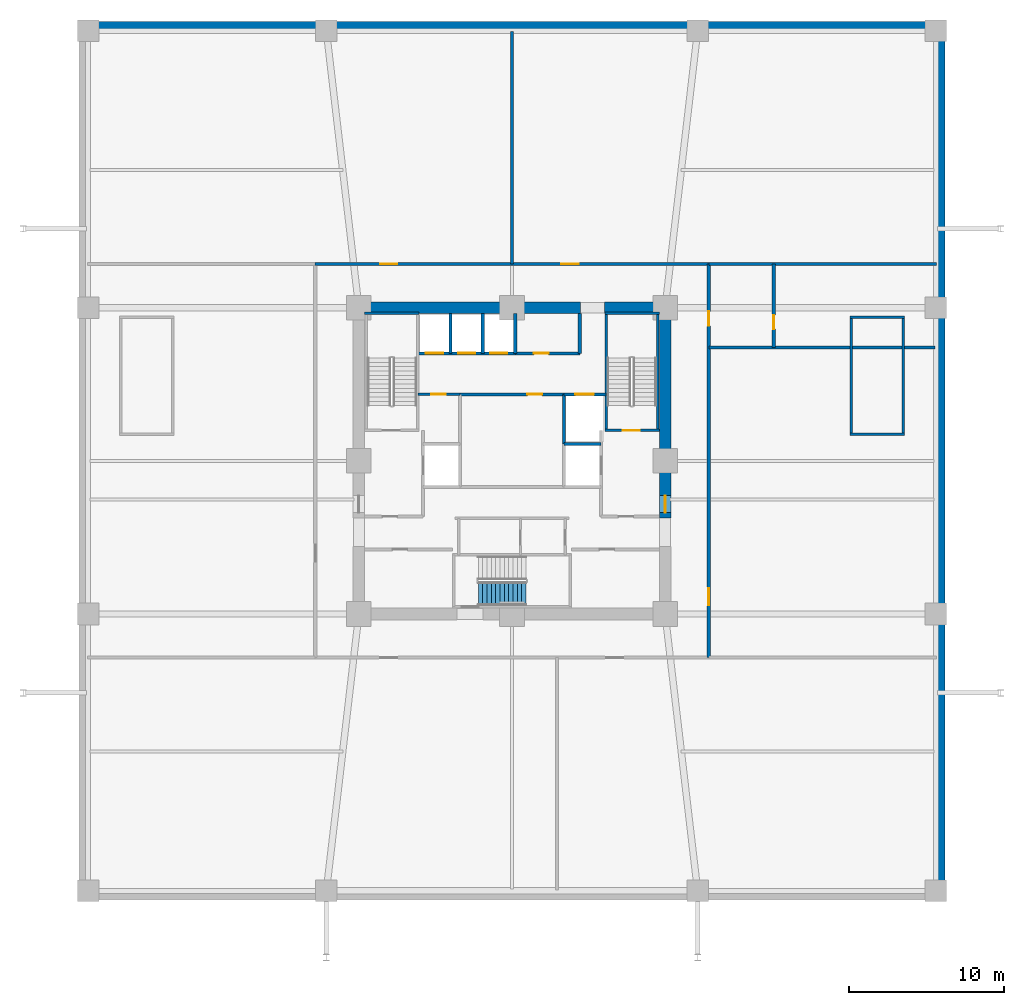
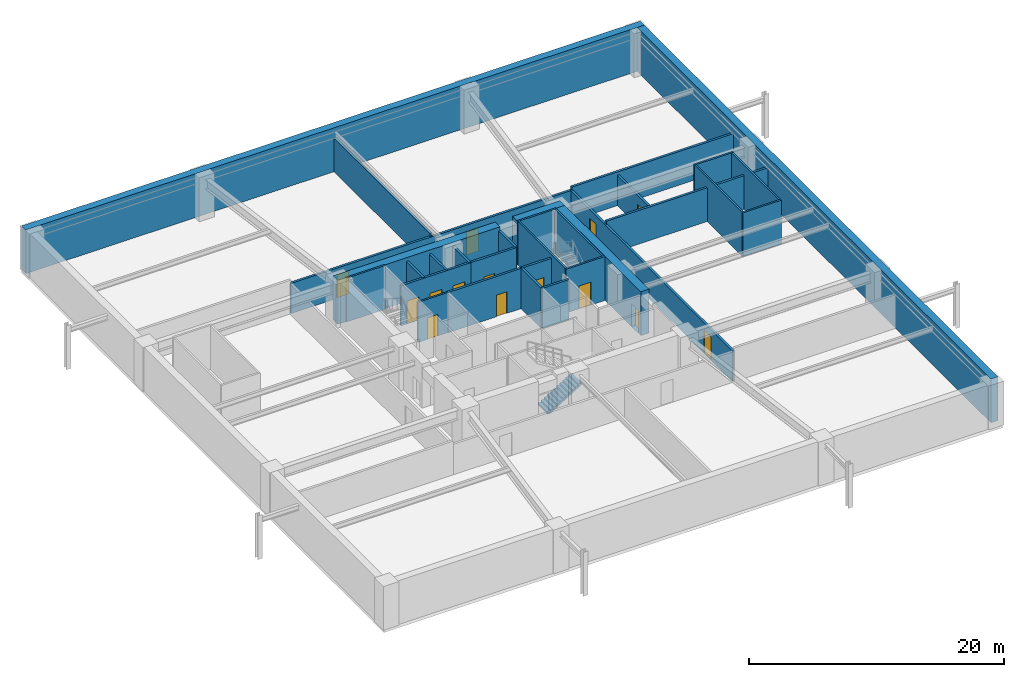
# One storey, part 3 of 5: 31 walls, 14 doors, 1 stair flight, 14 openings, 1 element without a shape of its own.
"""IFC4 building model written with IfcOpenShell, lengths in metres."""

from ifc_helpers import new_model, si_unit, direction, frame, frame_2d, origin, place, context, subcontext, project, spatial, polyline, rectangle, outline, extrude, material, layer, layer_set, type_object, element, fill, aggregate, save


model = new_model("IFC4")

# Units and contexts
model_context = context("Model", 3, precision=1e-05, world=origin(), true_north=direction((0.0, 1.0)))
body_context = subcontext(model_context, "Body", "Model", "MODEL_VIEW")
ifc_project = project(units=[si_unit("LENGTHUNIT", "METRE"), si_unit("AREAUNIT", "SQUARE_METRE"), si_unit("VOLUMEUNIT", "CUBIC_METRE"), si_unit("PLANEANGLEUNIT", "RADIAN"), si_unit("MASSUNIT", "GRAM", prefix="KILO")], contexts=[model_context])

# Site, building, storey
site_placement = place(None, origin())
site = spatial("IfcSite", under=ifc_project, at=site_placement, CompositionType="ELEMENT")
building_placement = place(site_placement, origin())
building = spatial("IfcBuilding", under=site, at=building_placement, Name="Kolvaren Belvedere", CompositionType="ELEMENT")
storey_placement = place(building_placement, frame((0.0, 0.0, -4.199951171875)))
storey = spatial("IfcBuildingStorey", under=building, at=storey_placement, Name="B01", CompositionType="ELEMENT", Elevation=-4.199951171875)

# Walls
ifc_material_1 = material(Name="Concrete C60/75", Category="concrete")
ifc_layer_1 = layer(ifc_material_1, 0.75)
ifc_layer_set_1 = layer_set([ifc_layer_1], Name="Concrete C60/75")
wall_type_1 = type_object("IfcWallType", Name="CW-CORE-750", PredefinedType="SHEAR", material=ifc_layer_set_1)
wall_1_placement = place(storey_placement, frame((-10.27490234375, 9.89990234375, 0.0), z_axis=(0.0, 0.0, 1.0), x_axis=(1.0, 0.0, 0.0)))
element("IfcWall", 1, at=wall_1_placement, inside=storey, type_object=wall_type_1, Name="B01 North Core Shear Wall 1", PredefinedType="SHEAR", context=body_context, shape_type="SweptSolid", body=[
    extrude(rectangle(XDim=14.69482421875, YDim=0.75, at=frame_2d((7.347412109375, 0.0))), origin(), (0.0, 0.0, 1.0), 4.199951171875),
])
wall_2_placement = place(storey_placement, frame((5.97998046875, 9.89990234375, 0.0), z_axis=(0.0, 0.0, 1.0), x_axis=(1.0, 0.0, 0.0)))
element("IfcWall", 2, at=wall_2_placement, inside=storey, type_object=wall_type_1, Name="B01 North Core Shear Wall 2", PredefinedType="SHEAR", context=body_context, shape_type="SweptSolid", body=[
    extrude(rectangle(XDim=4.294921875, YDim=0.75, at=frame_2d((2.1474609375, 0.0))), origin(), (0.0, 0.0, 1.0), 4.199951171875),
])

# Wall, opening, door
wall_3_placement = place(storey_placement, frame((9.89990234375, -3.699951171875, 0.0), z_axis=(0.0, 0.0, 1.0), x_axis=(0.0, 1.0, 0.0)))
wall_3 = element("IfcWall", 3, at=wall_3_placement, inside=storey, type_object=wall_type_1, Name="B01 East Core Shear Wall 2", PredefinedType="SHEAR", context=body_context, shape_type="SweptSolid", body=[
    extrude(rectangle(XDim=13.224853515625, YDim=0.75, at=frame_2d((6.6123046875, 0.0))), origin(), (0.0, 0.0, 1.0), 4.199951171875),
])
opening_1_placement = place(wall_3_placement, frame((0.35009765625, 0.0, 0.0)))
opening_1 = element("IfcOpeningElement", 4, at=opening_1_placement, cuts=wall_3, Name="Opening D-FD90", PredefinedType="OPENING", context=body_context, shape_type="SweptSolid", body=[
    extrude(rectangle(XDim=1.10009765625, YDim=2.199951171875, at=frame_2d((0.550048828125, 1.10009765625))), frame((0.0, 0.385009765625, 0.0), z_axis=(0.0, -1.0, 0.0), x_axis=(1.0, 0.0, 0.0)), (0.0, 0.0, 1.0), 0.77001953125),
])
ifc_material_2 = material(Name="Painted hollow stainless steel", Category="steel")
door_type_1 = type_object("IfcDoorType", Name="DR-FD90-1100", OperationType="NOTDEFINED", PredefinedType="DOOR", material=ifc_material_2)
door_1_placement = place(opening_1_placement, origin())
door_1 = element("IfcDoor", 5, at=door_1_placement, inside=storey, type_object=door_type_1, Name="B01 East Firefighting Lobby Fire Door", OperationType="SINGLE_SWING_RIGHT", OverallHeight=2.199951171875, OverallWidth=1.10009765625, PredefinedType="DOOR", context=body_context, shape_type="SweptSolid", body=[
    extrude(rectangle(XDim=1.10009765625, YDim=2.199951171875, at=frame_2d((0.550048828125, 1.10009765625))), frame((0.0, 0.02490234375, 0.0), z_axis=(0.0, -1.0, 0.0), x_axis=(1.0, 0.0, 0.0)), (0.0, 0.0, 1.0), 0.050048828125),
])
fill(opening_1, door_1)

# Walls
ifc_material_3 = material(Name="Concrete C50/60", Category="concrete")
ifc_layer_2 = layer(ifc_material_3, 0.159912109375)
ifc_layer_set_2 = layer_set([ifc_layer_2], Name="Concrete C50/60")
wall_type_2 = type_object("IfcWallType", Name="CW-STAIR-160", PredefinedType="SHEAR", material=ifc_layer_set_2)
for number, where, z_axis, x_axis, name in (
    (6, (21.85009765625, 1.719970703125, 0.0), (0.0, 0.0, 1.0), (1.0, 0.0, 0.0), "B01 Podium Stair ST-P2 Support Wall S"),
    (7, (21.85009765625, 9.280029296875, 0.0), (0.0, 0.0, 1.0), (1.0, 0.0, 0.0), "B01 Podium Stair ST-P2 Support Wall N"),
):
    element("IfcWall", number, at=place(storey_placement, frame(where, z_axis=z_axis, x_axis=x_axis)), inside=storey, type_object=wall_type_2, Name=name, PredefinedType="SHEAR", context=body_context, shape_type="SweptSolid", body=[
        extrude(rectangle(XDim=3.510009765625, YDim=0.159912109375, at=frame_2d((1.7548828125, 0.0))), origin(), (0.0, 0.0, 1.0), 4.199951171875),
    ])
for number, where, z_axis, x_axis, name in (
    (8, (21.929931640625, 1.800048828125, 0.0), (0.0, 0.0, 1.0), (0.0, 1.0, 0.0), "B01 Podium Stair ST-P2 Support Wall W"),
    (9, (25.280029296875, 1.800048828125, 0.0), (0.0, 0.0, 1.0), (0.0, 1.0, 0.0), "B01 Podium Stair ST-P2 Support Wall E"),
):
    element("IfcWall", number, at=place(storey_placement, frame(where, z_axis=z_axis, x_axis=x_axis)), inside=storey, type_object=wall_type_2, Name=name, PredefinedType="SHEAR", context=body_context, shape_type="SweptSolid", body=[
        extrude(rectangle(XDim=7.39990234375, YDim=0.159912109375, at=frame_2d((3.699951171875, 0.0))), origin(), (0.0, 0.0, 1.0), 4.199951171875),
    ])
wall_4_placement = place(storey_placement, frame((-9.52001953125, 9.530029296875, 0.0), z_axis=(0.0, 0.0, 1.0), x_axis=(1.0, 0.0, 0.0)))
element("IfcWall", 10, at=wall_4_placement, inside=storey, type_object=wall_type_2, Name="B01 Stair ST-1 North Shear Wall", PredefinedType="SHEAR", context=body_context, shape_type="SweptSolid", body=[
    extrude(rectangle(XDim=3.52001953125, YDim=0.159912109375, at=frame_2d((1.760009765625, 0.0))), origin(), (0.0, 0.0, 1.0), 4.199951171875),
])

# Wall, opening, door
wall_5_placement = place(storey_placement, frame((6.0, 1.969970703125, 0.0), z_axis=(0.0, 0.0, 1.0), x_axis=(1.0, 0.0, 0.0)))
wall_5 = element("IfcWall", 11, at=wall_5_placement, inside=storey, type_object=wall_type_2, Name="B01 Stair ST-2 South Shear Wall", PredefinedType="SHEAR", context=body_context, shape_type="SweptSolid", body=[
    extrude(rectangle(XDim=3.52001953125, YDim=0.159912109375, at=frame_2d((1.760009765625, 0.0))), origin(), (0.0, 0.0, 1.0), 4.199951171875),
])
opening_2_placement = place(wall_5_placement, frame((1.14990234375, 0.0, 0.0)))
opening_2 = element("IfcOpeningElement", 12, at=opening_2_placement, cuts=wall_5, Name="Opening D-FD90", PredefinedType="OPENING", context=body_context, shape_type="SweptSolid", body=[
    extrude(rectangle(XDim=1.10009765625, YDim=2.199951171875, at=frame_2d((0.550048828125, 1.10009765625))), frame((0.0, 0.08984375, 0.0), z_axis=(0.0, -1.0, 0.0), x_axis=(1.0, 0.0, 0.0)), (0.0, 0.0, 1.0), 0.179931640625),
])
door_2_placement = place(opening_2_placement, origin())
door_2 = element("IfcDoor", 13, at=door_2_placement, inside=storey, type_object=door_type_1, Name="B01 Stair ST-2 Fire Door", OperationType="SINGLE_SWING_RIGHT", OverallHeight=2.199951171875, OverallWidth=1.10009765625, PredefinedType="DOOR", context=body_context, shape_type="SweptSolid", body=[
    extrude(rectangle(XDim=1.10009765625, YDim=2.199951171875, at=frame_2d((0.550048828125, 1.10009765625))), frame((0.0, 0.02490234375, 0.0), z_axis=(0.0, -1.0, 0.0), x_axis=(1.0, 0.0, 0.0)), (0.0, 0.0, 1.0), 0.050048828125),
])
fill(opening_2, door_2)

# Walls
wall_6_placement = place(storey_placement, frame((6.0, 9.530029296875, 0.0), z_axis=(0.0, 0.0, 1.0), x_axis=(1.0, 0.0, 0.0)))
element("IfcWall", 14, at=wall_6_placement, inside=storey, type_object=wall_type_2, Name="B01 Stair ST-2 North Shear Wall", PredefinedType="SHEAR", context=body_context, shape_type="SweptSolid", body=[
    extrude(rectangle(XDim=3.52001953125, YDim=0.159912109375, at=frame_2d((1.760009765625, 0.0))), origin(), (0.0, 0.0, 1.0), 4.199951171875),
])
for number, where, z_axis, x_axis, name in (
    (15, (6.080078125, 1.969970703125, 0.0), (0.0, 0.0, 1.0), (0.0, 1.0, 0.0), "B01 Stair ST-2 West Shear Wall"),
    (16, (9.429931640625, 1.969970703125, 0.0), (0.0, 0.0, 1.0), (0.0, 1.0, 0.0), "B01 Stair ST-2 East Shear Wall"),
):
    element("IfcWall", number, at=place(storey_placement, frame(where, z_axis=z_axis, x_axis=x_axis)), inside=storey, type_object=wall_type_2, Name=name, PredefinedType="SHEAR", context=body_context, shape_type="SweptSolid", body=[
        extrude(rectangle(XDim=7.56005859375, YDim=0.159912109375, at=frame_2d((3.780029296875, 0.0))), origin(), (0.0, 0.0, 1.0), 4.199951171875),
    ])
ifc_material_4 = material(Name="Concrete C50/60", Category="concrete")
ifc_layer_3 = layer(ifc_material_4, 0.64990234375)
ifc_layer_set_3 = layer_set([ifc_layer_3], Name="Concrete C50/60")
wall_type_3 = type_object("IfcWallType", Name="RW-BASE-650", PredefinedType="SHEAR", material=ifc_layer_set_3)
wall_7_placement = place(storey_placement, frame((-28.0, 28.074951171875, 0.0), z_axis=(0.0, 0.0, 1.0), x_axis=(1.0, 0.0, 0.0)))
element("IfcWall", 17, at=wall_7_placement, inside=storey, type_object=wall_type_3, Name="B01 North Perimeter Retaining Wall", PredefinedType="SHEAR", context=body_context, shape_type="SweptSolid", body=[
    extrude(rectangle(XDim=56.0, YDim=0.64990234375, at=frame_2d((28.0, 0.0))), origin(), (0.0, 0.0, 1.0), 4.199951171875),
])
wall_8_placement = place(storey_placement, frame((27.675048828125, -27.75, 0.0), z_axis=(0.0, 0.0, 1.0), x_axis=(0.0, 1.0, 0.0)))
element("IfcWall", 18, at=wall_8_placement, inside=storey, type_object=wall_type_3, Name="B01 East Perimeter Retaining Wall", PredefinedType="SHEAR", context=body_context, shape_type="SweptSolid", body=[
    extrude(rectangle(XDim=55.5, YDim=0.64990234375, at=frame_2d((27.75, 0.0))), origin(), (0.0, 0.0, 1.0), 4.199951171875),
])

# Wall, opening, door
ifc_material_5 = material(Name="Gypsum acoustic partition assembly", Category="gypsum")
ifc_layer_4 = layer(ifc_material_5, 0.14990234375)
ifc_layer_set_4 = layer_set([ifc_layer_4], Name="Gypsum acoustic partition assembly")
wall_type_4 = type_object("IfcWallType", Name="WL-PART-150", PredefinedType="PARTITIONING", material=ifc_layer_set_4)
wall_9_placement = place(storey_placement, frame((-6.080078125, 4.300048828125, 0.0), z_axis=(0.0, 0.0, 1.0), x_axis=(1.0, 0.0, 0.0)))
wall_9 = element("IfcWall", 19, at=wall_9_placement, inside=storey, type_object=wall_type_4, Name="B01 NW Service Room North Wall", PredefinedType="PARTITIONING", context=body_context, shape_type="SweptSolid", body=[
    extrude(rectangle(XDim=2.72998046875, YDim=0.14990234375, at=frame_2d((1.364990234375, 0.0))), origin(), (0.0, 0.0, 1.0), 3.849853515625),
])
opening_3_placement = place(wall_9_placement, frame((0.85009765625, 0.0, 0.0)))
opening_3 = element("IfcOpeningElement", 20, at=opening_3_placement, cuts=wall_9, Name="Opening D-FD60", PredefinedType="OPENING", context=body_context, shape_type="SweptSolid", body=[
    extrude(rectangle(XDim=0.949951171875, YDim=2.06005859375, at=frame_2d((0.47509765625, 1.030029296875))), frame((0.0, 0.0849609375, 0.0), z_axis=(0.0, -1.0, 0.0), x_axis=(1.0, 0.0, 0.0)), (0.0, 0.0, 1.0), 0.169921875),
])
ifc_material_6 = material(Name="Acoustic white-oak fire door leaf", Category="timber")
door_type_2 = type_object("IfcDoorType", Name="DR-FD60-950", OperationType="NOTDEFINED", PredefinedType="DOOR", material=ifc_material_6)
door_3_placement = place(opening_3_placement, origin())
door_3 = element("IfcDoor", 21, at=door_3_placement, inside=storey, type_object=door_type_2, Name="B01 NW Core Store Door", OperationType="SINGLE_SWING_RIGHT", OverallHeight=2.06005859375, OverallWidth=0.949951171875, PredefinedType="DOOR", context=body_context, shape_type="SweptSolid", body=[
    extrude(rectangle(XDim=0.949951171875, YDim=2.06005859375, at=frame_2d((0.47509765625, 1.030029296875))), frame((0.0, 0.02490234375, 0.0), z_axis=(0.0, -1.0, 0.0), x_axis=(1.0, 0.0, 0.0)), (0.0, 0.0, 1.0), 0.050048828125),
])
fill(opening_3, door_3)

# Wall
ifc_material_7 = material(Name="Concrete C50/60", Category="concrete")
ifc_layer_5 = layer(ifc_material_7, 0.199951171875)
ifc_layer_set_5 = layer_set([ifc_layer_5], Name="Concrete C50/60")
wall_type_5 = type_object("IfcWallType", Name="WL-SHAFT-200", PredefinedType="SOLIDWALL", material=ifc_layer_set_5)
wall_10_placement = place(storey_placement, frame((3.35009765625, 1.10009765625, 0.0), z_axis=(0.0, 0.0, 1.0), x_axis=(1.0, 0.0, 0.0)))
element("IfcWall", 22, at=wall_10_placement, inside=storey, type_object=wall_type_5, Name="B01 FSAE FS2 North Wall", PredefinedType="SOLIDWALL", context=body_context, shape_type="SweptSolid", body=[
    extrude(rectangle(XDim=2.39990234375, YDim=0.199951171875, at=frame_2d((1.199951171875, 0.0))), origin(), (0.0, 0.0, 1.0), 3.849853515625),
])

# Wall, opening, door
wall_11_placement = place(storey_placement, frame((3.35009765625, 4.300048828125, 0.0), z_axis=(0.0, 0.0, 1.0), x_axis=(1.0, 0.0, 0.0)))
wall_11 = element("IfcWall", 23, at=wall_11_placement, inside=storey, type_object=wall_type_5, Name="B01 Service Lift SV1 Front Wall", PredefinedType="SOLIDWALL", context=body_context, shape_type="SweptSolid", body=[
    extrude(rectangle(XDim=2.72998046875, YDim=0.199951171875, at=frame_2d((1.364990234375, 0.0))), origin(), (0.0, 0.0, 1.0), 3.849853515625),
])
opening_4_placement = place(wall_11_placement, frame((0.75, 0.0, 0.0)))
opening_4 = element("IfcOpeningElement", 24, at=opening_4_placement, cuts=wall_11, Name="Opening LD-12", PredefinedType="OPENING", context=body_context, shape_type="SweptSolid", body=[
    extrude(rectangle(XDim=1.199951171875, YDim=2.25, at=frame_2d((0.60009765625, 1.125))), frame((0.0, 0.10986328125, 0.0), z_axis=(0.0, -1.0, 0.0), x_axis=(1.0, 0.0, 0.0)), (0.0, 0.0, 1.0), 0.219970703125),
])
ifc_material_8 = material(Name="Brushed stainless steel", Category="steel")
door_type_3 = type_object("IfcDoorType", Name="DR-LIFT-1200", OperationType="DOUBLE_DOOR_SLIDING", PredefinedType="DOOR", material=ifc_material_8)
door_4_placement = place(opening_4_placement, origin())
door_4 = element("IfcDoor", 25, at=door_4_placement, inside=storey, type_object=door_type_3, Name="B01 Service Lift SV1 Landing Door", OperationType="DOUBLE_DOOR_SLIDING", OverallHeight=2.25, OverallWidth=1.199951171875, PredefinedType="DOOR", context=body_context, shape_type="SweptSolid", body=[
    extrude(rectangle(XDim=1.199951171875, YDim=2.25, at=frame_2d((0.60009765625, 1.125))), frame((0.0, 0.02490234375, 0.0), z_axis=(0.0, -1.0, 0.0), x_axis=(1.0, 0.0, 0.0)), (0.0, 0.0, 1.0), 0.050048828125),
])
fill(opening_4, door_4)

# Wall, openings, doors
wall_12_placement = place(storey_placement, frame((-6.080078125, 6.949951171875, 0.0), z_axis=(0.0, 0.0, 1.0), x_axis=(1.0, 0.0, 0.0)))
wall_12 = element("IfcWall", 26, at=wall_12_placement, inside=storey, type_object=wall_type_5, Name="B01 Low-Rise Lift Bank Front Wall", PredefinedType="SOLIDWALL", context=body_context, shape_type="SweptSolid", body=[
    extrude(rectangle(XDim=6.300048828125, YDim=0.199951171875, at=frame_2d((3.14990234375, 0.0))), origin(), (0.0, 0.0, 1.0), 3.849853515625),
])
opening_5_placement = place(wall_12_placement, frame((0.52001953125, 0.0, 0.0)))
opening_5 = element("IfcOpeningElement", 27, at=opening_5_placement, cuts=wall_12, Name="Opening LD-11", PredefinedType="OPENING", context=body_context, shape_type="SweptSolid", body=[
    extrude(rectangle(XDim=1.10009765625, YDim=2.199951171875, at=frame_2d((0.550048828125, 1.10009765625))), frame((0.0, 0.10986328125, 0.0), z_axis=(0.0, -1.0, 0.0), x_axis=(1.0, 0.0, 0.0)), (0.0, 0.0, 1.0), 0.219970703125),
])
opening_6_placement = place(wall_12_placement, frame((2.60009765625, 0.0, 0.0)))
opening_6 = element("IfcOpeningElement", 28, at=opening_6_placement, cuts=wall_12, Name="Opening LD-11", PredefinedType="OPENING", context=body_context, shape_type="SweptSolid", body=[
    extrude(rectangle(XDim=1.10009765625, YDim=2.199951171875, at=frame_2d((0.550048828125, 1.10009765625))), frame((0.0, 0.10986328125, 0.0), z_axis=(0.0, -1.0, 0.0), x_axis=(1.0, 0.0, 0.0)), (0.0, 0.0, 1.0), 0.219970703125),
])
opening_7_placement = place(wall_12_placement, frame((4.679931640625, 0.0, 0.0)))
opening_7 = element("IfcOpeningElement", 29, at=opening_7_placement, cuts=wall_12, Name="Opening LD-11", PredefinedType="OPENING", context=body_context, shape_type="SweptSolid", body=[
    extrude(rectangle(XDim=1.10009765625, YDim=2.199951171875, at=frame_2d((0.550048828125, 1.10009765625))), frame((0.0, 0.10986328125, 0.0), z_axis=(0.0, -1.0, 0.0), x_axis=(1.0, 0.0, 0.0)), (0.0, 0.0, 1.0), 0.219970703125),
])
ifc_material_9 = material(Name="Brushed stainless steel", Category="steel")
door_type_4 = type_object("IfcDoorType", Name="DR-LIFT-1100", OperationType="DOUBLE_DOOR_SLIDING", PredefinedType="DOOR", material=ifc_material_9)
door_5_placement = place(opening_5_placement, origin())
door_5 = element("IfcDoor", 30, at=door_5_placement, inside=storey, type_object=door_type_4, Name="B01 Passenger Lift P1 Landing Door", OperationType="DOUBLE_DOOR_SLIDING", OverallHeight=2.199951171875, OverallWidth=1.10009765625, PredefinedType="DOOR", context=body_context, shape_type="SweptSolid", body=[
    extrude(rectangle(XDim=1.10009765625, YDim=2.199951171875, at=frame_2d((0.550048828125, 1.10009765625))), frame((0.0, 0.02490234375, 0.0), z_axis=(0.0, -1.0, 0.0), x_axis=(1.0, 0.0, 0.0)), (0.0, 0.0, 1.0), 0.050048828125),
])
fill(opening_5, door_5)
door_6_placement = place(opening_6_placement, origin())
door_6 = element("IfcDoor", 31, at=door_6_placement, inside=storey, type_object=door_type_4, Name="B01 Passenger Lift P2 Landing Door", OperationType="DOUBLE_DOOR_SLIDING", OverallHeight=2.199951171875, OverallWidth=1.10009765625, PredefinedType="DOOR", context=body_context, shape_type="SweptSolid", body=[
    extrude(rectangle(XDim=1.10009765625, YDim=2.199951171875, at=frame_2d((0.550048828125, 1.10009765625))), frame((0.0, 0.02490234375, 0.0), z_axis=(0.0, -1.0, 0.0), x_axis=(1.0, 0.0, 0.0)), (0.0, 0.0, 1.0), 0.050048828125),
])
fill(opening_6, door_6)
door_7_placement = place(opening_7_placement, origin())
door_7 = element("IfcDoor", 32, at=door_7_placement, inside=storey, type_object=door_type_4, Name="B01 Passenger Lift P3 Landing Door", OperationType="DOUBLE_DOOR_SLIDING", OverallHeight=2.199951171875, OverallWidth=1.10009765625, PredefinedType="DOOR", context=body_context, shape_type="SweptSolid", body=[
    extrude(rectangle(XDim=1.10009765625, YDim=2.199951171875, at=frame_2d((0.550048828125, 1.10009765625))), frame((0.0, 0.02490234375, 0.0), z_axis=(0.0, -1.0, 0.0), x_axis=(1.0, 0.0, 0.0)), (0.0, 0.0, 1.0), 0.050048828125),
])
fill(opening_7, door_7)

# Walls
for number, where, z_axis, x_axis, name in (
    (33, (-3.969970703125, 6.949951171875, 0.0), (0.0, 0.0, 1.0), (0.0, 1.0, 0.0), "B01 Low-Rise Hoistway Divider 1"),
    (34, (-1.889892578125, 6.949951171875, 0.0), (0.0, 0.0, 1.0), (0.0, 1.0, 0.0), "B01 Low-Rise Hoistway Divider 2"),
    (35, (0.2099609375, 6.949951171875, 0.0), (0.0, 0.0, 1.0), (0.0, 1.0, 0.0), "B01 Low-Rise Hoistway Divider 3"),
):
    element("IfcWall", number, at=place(storey_placement, frame(where, z_axis=z_axis, x_axis=x_axis)), inside=storey, type_object=wall_type_5, Name=name, PredefinedType="SOLIDWALL", context=body_context, shape_type="SweptSolid", body=[
        extrude(rectangle(XDim=2.570068359375, YDim=0.199951171875, at=frame_2d((1.28515625, 0.0))), origin(), (0.0, 0.0, 1.0), 3.849853515625),
    ])

# Wall, opening, door
wall_13_placement = place(storey_placement, frame((0.219970703125, 6.949951171875, 0.0), z_axis=(0.0, 0.0, 1.0), x_axis=(1.0, 0.0, 0.0)))
wall_13 = element("IfcWall", 36, at=wall_13_placement, inside=storey, type_object=wall_type_5, Name="B01 Core Metering Wall", PredefinedType="SOLIDWALL", context=body_context, shape_type="SweptSolid", body=[
    extrude(rectangle(XDim=4.159912109375, YDim=0.199951171875, at=frame_2d((2.080078125, 0.0))), origin(), (0.0, 0.0, 1.0), 3.849853515625),
])
opening_8_placement = place(wall_13_placement, frame((1.199951171875, 0.0, 0.0)))
opening_8 = element("IfcOpeningElement", 37, at=opening_8_placement, cuts=wall_13, Name="Opening D-FD60", PredefinedType="OPENING", context=body_context, shape_type="SweptSolid", body=[
    extrude(rectangle(XDim=0.949951171875, YDim=2.06005859375, at=frame_2d((0.47509765625, 1.030029296875))), frame((0.0, 0.10986328125, 0.0), z_axis=(0.0, -1.0, 0.0), x_axis=(1.0, 0.0, 0.0)), (0.0, 0.0, 1.0), 0.219970703125),
])
door_8_placement = place(opening_8_placement, origin())
door_8 = element("IfcDoor", 38, at=door_8_placement, inside=storey, type_object=door_type_2, Name="B01 Core Metering Door", OperationType="SINGLE_SWING_LEFT", OverallHeight=2.06005859375, OverallWidth=0.949951171875, PredefinedType="DOOR", context=body_context, shape_type="SweptSolid", body=[
    extrude(rectangle(XDim=0.949951171875, YDim=2.06005859375, at=frame_2d((0.47509765625, 1.030029296875))), frame((0.0, 0.02490234375, 0.0), z_axis=(0.0, -1.0, 0.0), x_axis=(1.0, 0.0, 0.0)), (0.0, 0.0, 1.0), 0.050048828125),
])
fill(opening_8, door_8)

# Wall
wall_14_placement = place(storey_placement, frame((4.3798828125, 6.949951171875, 0.0), z_axis=(0.0, 0.0, 1.0), x_axis=(0.0, 1.0, 0.0)))
element("IfcWall", 39, at=wall_14_placement, inside=storey, type_object=wall_type_5, Name="B01 Core Metering East Wall", PredefinedType="SOLIDWALL", context=body_context, shape_type="SweptSolid", body=[
    extrude(rectangle(XDim=2.570068359375, YDim=0.199951171875, at=frame_2d((1.28515625, 0.0))), origin(), (0.0, 0.0, 1.0), 3.849853515625),
])

# Wall, opening, door
wall_15_placement = place(storey_placement, frame((-3.35009765625, 4.300048828125, 0.0), z_axis=(0.0, 0.0, 1.0), x_axis=(1.0, 0.0, 0.0)))
wall_15 = element("IfcWall", 40, at=wall_15_placement, inside=storey, type_object=wall_type_5, Name="B01 Central Core Room North Wall", PredefinedType="SOLIDWALL", context=body_context, shape_type="SweptSolid", body=[
    extrude(rectangle(XDim=6.7001953125, YDim=0.199951171875, at=frame_2d((3.35009765625, 0.0))), origin(), (0.0, 0.0, 1.0), 3.849853515625),
])
opening_9_placement = place(wall_15_placement, frame((4.35009765625, 0.0, 0.0)))
opening_9 = element("IfcOpeningElement", 41, at=opening_9_placement, cuts=wall_15, Name="Opening D-FD60", PredefinedType="OPENING", context=body_context, shape_type="SweptSolid", body=[
    extrude(rectangle(XDim=0.949951171875, YDim=2.06005859375, at=frame_2d((0.47509765625, 1.030029296875))), frame((0.0, 0.10986328125, 0.0), z_axis=(0.0, -1.0, 0.0), x_axis=(1.0, 0.0, 0.0)), (0.0, 0.0, 1.0), 0.219970703125),
])
door_9_placement = place(opening_9_placement, origin())
door_9 = element("IfcDoor", 42, at=door_9_placement, inside=storey, type_object=door_type_2, Name="B01 Central Core Controls Door", OperationType="SINGLE_SWING_LEFT", OverallHeight=2.06005859375, OverallWidth=0.949951171875, PredefinedType="DOOR", context=body_context, shape_type="SweptSolid", body=[
    extrude(rectangle(XDim=0.949951171875, YDim=2.06005859375, at=frame_2d((0.47509765625, 1.030029296875))), frame((0.0, 0.02490234375, 0.0), z_axis=(0.0, -1.0, 0.0), x_axis=(1.0, 0.0, 0.0)), (0.0, 0.0, 1.0), 0.050048828125),
])
fill(opening_9, door_9)

# Wall
wall_16_placement = place(storey_placement, frame((3.35009765625, 1.10009765625, 0.0), z_axis=(0.0, 0.0, 1.0), x_axis=(0.0, 1.0, 0.0)))
element("IfcWall", 43, at=wall_16_placement, inside=storey, type_object=wall_type_5, Name="B01 Central Core Room East Wall", PredefinedType="SOLIDWALL", context=body_context, shape_type="SweptSolid", body=[
    extrude(rectangle(XDim=3.199951171875, YDim=0.199951171875, at=frame_2d((1.60009765625, 0.0))), origin(), (0.0, 0.0, 1.0), 3.849853515625),
])

# Wall, openings, doors
wall_17_placement = place(storey_placement, frame((-12.719970703125, 12.719970703125, 0.0), z_axis=(0.0, 0.0, 1.0), x_axis=(1.0, 0.0, 0.0)))
wall_17 = element("IfcWall", 44, at=wall_17_placement, inside=storey, type_object=wall_type_5, Name="B01 North Corridor Wall", PredefinedType="SOLIDWALL", context=body_context, shape_type="SweptSolid", body=[
    extrude(rectangle(XDim=25.43994140625, YDim=0.199951171875, at=frame_2d((12.719970703125, 0.0))), origin(), (0.0, 0.0, 1.0), 2.907958984375),
])
opening_10_placement = place(wall_17_placement, frame((4.199951171875, 0.0, 0.0)))
opening_10 = element("IfcOpeningElement", 45, at=opening_10_placement, cuts=wall_17, Name="Opening D-FD90", PredefinedType="OPENING", context=body_context, shape_type="SweptSolid", body=[
    extrude(rectangle(XDim=1.10009765625, YDim=2.199951171875, at=frame_2d((0.550048828125, 1.10009765625))), frame((0.0, 0.10986328125, 0.0), z_axis=(0.0, -1.0, 0.0), x_axis=(1.0, 0.0, 0.0)), (0.0, 0.0, 1.0), 0.219970703125),
])
opening_11_placement = place(wall_17_placement, frame((15.919921875, 0.0, 0.0)))
opening_11 = element("IfcOpeningElement", 46, at=opening_11_placement, cuts=wall_17, Name="Opening D-FD90", PredefinedType="OPENING", context=body_context, shape_type="SweptSolid", body=[
    extrude(rectangle(XDim=1.10009765625, YDim=2.199951171875, at=frame_2d((0.550048828125, 1.10009765625))), frame((0.0, 0.10986328125, 0.0), z_axis=(0.0, -1.0, 0.0), x_axis=(1.0, 0.0, 0.0)), (0.0, 0.0, 1.0), 0.219970703125),
])
door_10_placement = place(opening_10_placement, origin())
door_10 = element("IfcDoor", 47, at=door_10_placement, inside=storey, type_object=door_type_1, Name="B01 Engineering Workshop Mechanical Plant Door", OperationType="SINGLE_SWING_RIGHT", OverallHeight=2.199951171875, OverallWidth=1.10009765625, PredefinedType="DOOR", context=body_context, shape_type="SweptSolid", body=[
    extrude(rectangle(XDim=1.10009765625, YDim=2.199951171875, at=frame_2d((0.550048828125, 1.10009765625))), frame((0.0, 0.02490234375, 0.0), z_axis=(0.0, -1.0, 0.0), x_axis=(1.0, 0.0, 0.0)), (0.0, 0.0, 1.0), 0.050048828125),
])
fill(opening_10, door_10)
door_11_placement = place(opening_11_placement, origin())
door_11 = element("IfcDoor", 48, at=door_11_placement, inside=storey, type_object=door_type_1, Name="B01 Auxiliary Controls Mechanical Plant Door", OperationType="SINGLE_SWING_LEFT", OverallHeight=2.199951171875, OverallWidth=1.10009765625, PredefinedType="DOOR", context=body_context, shape_type="SweptSolid", body=[
    extrude(rectangle(XDim=1.10009765625, YDim=2.199951171875, at=frame_2d((0.550048828125, 1.10009765625))), frame((0.0, 0.02490234375, 0.0), z_axis=(0.0, -1.0, 0.0), x_axis=(1.0, 0.0, 0.0)), (0.0, 0.0, 1.0), 0.050048828125),
])
fill(opening_11, door_11)

wall_18_placement = place(storey_placement, frame((12.719970703125, -12.719970703125, 0.0), z_axis=(0.0, 0.0, 1.0), x_axis=(0.0, 1.0, 0.0)))
wall_18 = element("IfcWall", 49, at=wall_18_placement, inside=storey, type_object=wall_type_5, Name="B01 East Corridor Wall", PredefinedType="SOLIDWALL", context=body_context, shape_type="SweptSolid", body=[
    extrude(rectangle(XDim=25.43994140625, YDim=0.199951171875, at=frame_2d((12.719970703125, 0.0))), origin(), (0.0, 0.0, 1.0), 2.907958984375),
])
opening_12_placement = place(wall_18_placement, frame((3.39990234375, 0.0, 0.0)))
opening_12 = element("IfcOpeningElement", 50, at=opening_12_placement, cuts=wall_18, Name="Opening D-FD90", PredefinedType="OPENING", context=body_context, shape_type="SweptSolid", body=[
    extrude(rectangle(XDim=1.10009765625, YDim=2.199951171875, at=frame_2d((0.550048828125, 1.10009765625))), frame((0.0, 0.10986328125, 0.0), z_axis=(0.0, -1.0, 0.0), x_axis=(1.0, 0.0, 0.0)), (0.0, 0.0, 1.0), 0.219970703125),
])
opening_13_placement = place(wall_18_placement, frame((21.43994140625, 0.0, 0.0)))
opening_13 = element("IfcOpeningElement", 51, at=opening_13_placement, cuts=wall_18, Name="Opening D-INT95", PredefinedType="OPENING", context=body_context, shape_type="SweptSolid", body=[
    extrude(rectangle(XDim=0.949951171875, YDim=2.06005859375, at=frame_2d((0.47509765625, 1.030029296875))), frame((0.0, 0.10986328125, 0.0), z_axis=(0.0, -1.0, 0.0), x_axis=(1.0, 0.0, 0.0)), (0.0, 0.0, 1.0), 0.219970703125),
])
door_12_placement = place(opening_12_placement, origin())
door_12 = element("IfcDoor", 52, at=door_12_placement, inside=storey, type_object=door_type_1, Name="B01 Waste Compaction Mechanical Plant Door", OperationType="SINGLE_SWING_RIGHT", OverallHeight=2.199951171875, OverallWidth=1.10009765625, PredefinedType="DOOR", context=body_context, shape_type="SweptSolid", body=[
    extrude(rectangle(XDim=1.10009765625, YDim=2.199951171875, at=frame_2d((0.550048828125, 1.10009765625))), frame((0.0, 0.02490234375, 0.0), z_axis=(0.0, -1.0, 0.0), x_axis=(1.0, 0.0, 0.0)), (0.0, 0.0, 1.0), 0.050048828125),
])
fill(opening_12, door_12)
ifc_material_10 = material(Name="Stained Pacific white oak", Category="timber")
door_type_5 = type_object("IfcDoorType", Name="DR-INT-950", OperationType="NOTDEFINED", PredefinedType="DOOR", material=ifc_material_10)
door_13_placement = place(opening_13_placement, origin())
door_13 = element("IfcDoor", 53, at=door_13_placement, inside=storey, type_object=door_type_5, Name="B01 Staff Accessible Washroom Door", OperationType="SINGLE_SWING_LEFT", OverallHeight=2.06005859375, OverallWidth=0.949951171875, PredefinedType="DOOR", context=body_context, shape_type="SweptSolid", body=[
    extrude(rectangle(XDim=0.949951171875, YDim=2.06005859375, at=frame_2d((0.47509765625, 1.030029296875))), frame((0.0, 0.02490234375, 0.0), z_axis=(0.0, -1.0, 0.0), x_axis=(1.0, 0.0, 0.0)), (0.0, 0.0, 1.0), 0.050048828125),
])
fill(opening_13, door_13)

# Walls
wall_19_placement = place(storey_placement, frame((12.719970703125, 12.719970703125, 0.0), z_axis=(0.0, 0.0, 1.0), x_axis=(1.0, 0.0, 0.0)))
element("IfcWall", 54, at=wall_19_placement, inside=storey, type_object=wall_type_5, Name="B01 Sector Wall PW-B01-QNE", PredefinedType="SOLIDWALL", context=body_context, shape_type="SweptSolid", body=[
    extrude(rectangle(XDim=14.719970703125, YDim=0.199951171875, at=frame_2d((7.35986328125, 0.0))), origin(), (0.0, 0.0, 1.0), 3.218994140625),
])
wall_20_placement = place(storey_placement, frame((12.719970703125, 7.320068359375, 0.0), z_axis=(0.0, 0.0, 1.0), x_axis=(1.0, 0.0, 0.0)))
element("IfcWall", 55, at=wall_20_placement, inside=storey, type_object=wall_type_5, Name="B01 East Plant WC Wall", PredefinedType="SOLIDWALL", context=body_context, shape_type="SweptSolid", body=[
    extrude(rectangle(XDim=14.630126953125, YDim=0.199951171875, at=frame_2d((7.31494140625, 0.0))), origin(), (0.0, 0.0, 1.0), 3.218994140625),
])

# Wall, opening, door
wall_21_placement = place(storey_placement, frame((16.919921875, 7.320068359375, 0.0), z_axis=(0.0, 0.0, 1.0), x_axis=(0.0, 1.0, 0.0)))
wall_21 = element("IfcWall", 56, at=wall_21_placement, inside=storey, type_object=wall_type_5, Name="B01 Staff WC Back Wall", PredefinedType="SOLIDWALL", context=body_context, shape_type="SweptSolid", body=[
    extrude(rectangle(XDim=5.39990234375, YDim=0.199951171875, at=frame_2d((2.699951171875, 0.0))), origin(), (0.0, 0.0, 1.0), 2.907958984375),
])
opening_14_placement = place(wall_21_placement, frame((1.199951171875, 0.0, 0.0)))
opening_14 = element("IfcOpeningElement", 57, at=opening_14_placement, cuts=wall_21, Name="Opening D-INT90", PredefinedType="OPENING", context=body_context, shape_type="SweptSolid", body=[
    extrude(rectangle(XDim=0.89990234375, YDim=2.06005859375, at=frame_2d((0.449951171875, 1.030029296875))), frame((0.0, 0.10986328125, 0.0), z_axis=(0.0, -1.0, 0.0), x_axis=(1.0, 0.0, 0.0)), (0.0, 0.0, 1.0), 0.219970703125),
])
ifc_material_11 = material(Name="Stained Pacific white oak", Category="timber")
door_type_6 = type_object("IfcDoorType", Name="DR-INT-900", OperationType="NOTDEFINED", PredefinedType="DOOR", material=ifc_material_11)
door_14_placement = place(opening_14_placement, origin())
door_14 = element("IfcDoor", 58, at=door_14_placement, inside=storey, type_object=door_type_6, Name="B01 Cold Storage Mechanical Plant Door", OperationType="SINGLE_SWING_RIGHT", OverallHeight=2.06005859375, OverallWidth=0.89990234375, PredefinedType="DOOR", context=body_context, shape_type="SweptSolid", body=[
    extrude(rectangle(XDim=0.89990234375, YDim=2.06005859375, at=frame_2d((0.449951171875, 1.030029296875))), frame((0.0, 0.02490234375, 0.0), z_axis=(0.0, -1.0, 0.0), x_axis=(1.0, 0.0, 0.0)), (0.0, 0.0, 1.0), 0.050048828125),
])
fill(opening_14, door_14)

# Wall
wall_22_placement = place(storey_placement, frame((0.0, 12.719970703125, 0.0), z_axis=(0.0, 0.0, 1.0), x_axis=(0.0, 1.0, 0.0)))
element("IfcWall", 59, at=wall_22_placement, inside=storey, type_object=wall_type_5, Name="B01 North Plant Divider", PredefinedType="SOLIDWALL", context=body_context, shape_type="SweptSolid", body=[
    extrude(rectangle(XDim=15.030029296875, YDim=0.199951171875, at=frame_2d((7.51513671875, 0.0))), origin(), (0.0, 0.0, 1.0), 3.218994140625),
])

# Stair, stair flight
ifc_material_12 = material(Name="Concrete C50/60", Category="concrete")
stair_type = type_object("IfcStairType", Name="ST-CORE-1520", PredefinedType="HALF_TURN_STAIR", material=ifc_material_12)
stair_placement = place(storey_placement, origin())
stair = element("IfcStair", 60, at=stair_placement, inside=storey, type_object=stair_type, Name="B01 Protected Exit Stair ST-3", PredefinedType="HALF_TURN_STAIR")
ifc_material_13 = material(Name="Concrete C50/60", Category="concrete")
stair_flight_type = type_object("IfcStairFlightType", Name="SF-STR-1520", PredefinedType="STRAIGHT", material=ifc_material_13)
stair_flight_placement = place(storey_placement, frame((-2.179931640625, -8.590087890625, 0.0), z_axis=(0.0, 0.0, 1.0), x_axis=(1.0, 0.0, 0.0)))
stair_flight = element("IfcStairFlight", 61, at=stair_flight_placement, type_object=stair_flight_type, Name="ST-3 flight 1", NumberOfRisers=12, NumberOfTreads=11, PredefinedType="STRAIGHT", RiserHeight=0.175, TreadLength=0.28, context=body_context, shape_type="SweptSolid", body=[
    extrude(outline(polyline([(0.0, 0.0), (0.0, 0.175048828125), (0.280029296875, 0.175048828125), (0.280029296875, 0.35009765625), (0.56005859375, 0.35009765625), (0.56005859375, 0.52490234375), (0.840087890625, 0.52490234375), (0.840087890625, 0.699951171875), (1.1201171875, 0.699951171875), (1.1201171875, 0.875), (1.39990234375, 0.875), (1.39990234375, 1.050048828125), (1.679931640625, 1.050048828125), (1.679931640625, 1.22509765625), (1.9599609375, 1.22509765625), (1.9599609375, 1.39990234375), (2.239990234375, 1.39990234375), (2.239990234375, 1.574951171875), (2.52001953125, 1.574951171875), (2.52001953125, 1.75), (2.800048828125, 1.75), (2.800048828125, 1.925048828125), (3.080078125, 1.925048828125), (3.080078125, 2.10009765625), (3.080078125, 1.748291015625), (0.28271484375, 0.0), (0.0, 0.0)])), frame((0.0, 0.760009765625, 0.0), z_axis=(0.0, -1.0, 0.0), x_axis=(1.0, 0.0, 0.0)), (0.0, 0.0, 1.0), 1.52001953125),
])
aggregate(stair, [stair_flight])

save(model, "model.ifc")
